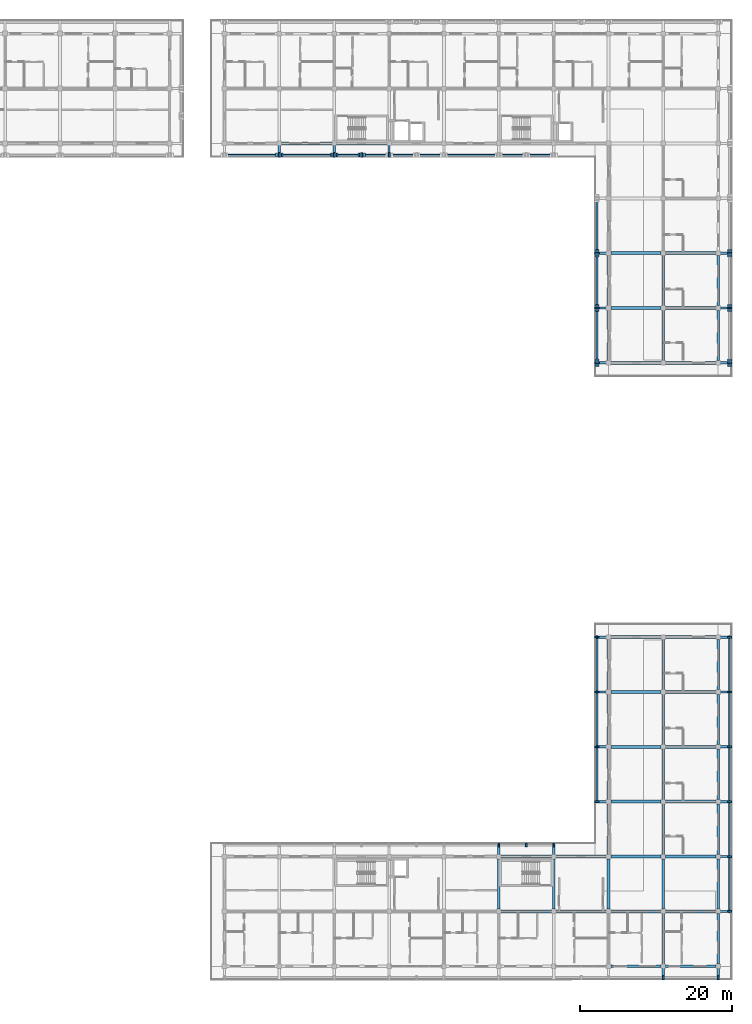
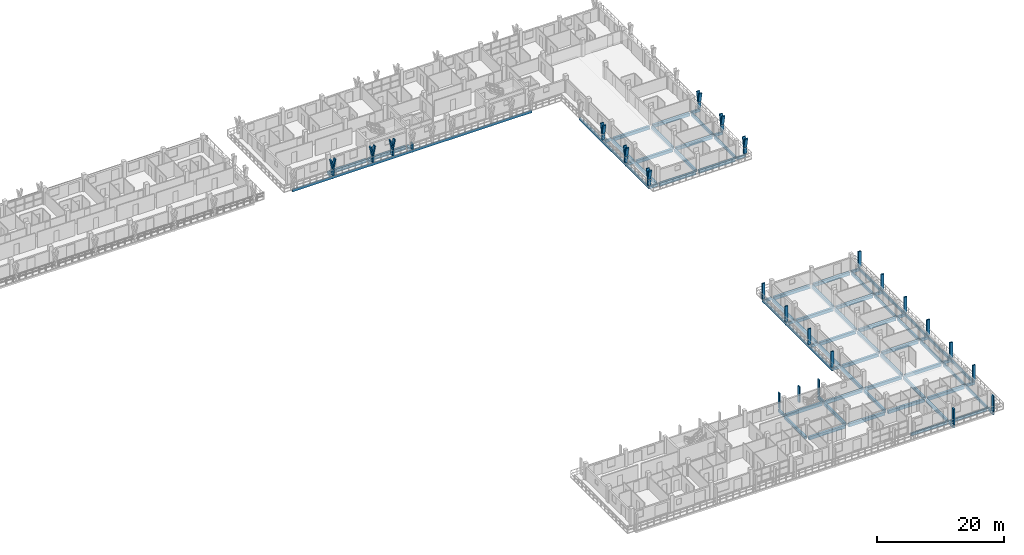
# One storey, part 27 of 76: 78 beams, 43 members.
"""IFC4 building model written with IfcOpenShell, lengths in metres."""

from ifc_helpers import new_model, si_unit, direction, frame, origin, origin_2d, place, context, subcontext, project, spatial, rectangle, extrude, material, material_profile, profile_set, type_object, element, save


model = new_model("IFC4")

# Units and contexts
model_context = context("Model", 3, precision=1e-05, world=origin(), true_north=direction((0.0, 1.0)))
body_context = subcontext(model_context, "Body", "Model", "MODEL_VIEW")
ifc_project = project(units=[si_unit("LENGTHUNIT", "METRE"), si_unit("AREAUNIT", "SQUARE_METRE"), si_unit("VOLUMEUNIT", "CUBIC_METRE"), si_unit("PLANEANGLEUNIT", "RADIAN"), si_unit("MASSUNIT", "GRAM", prefix="KILO")], contexts=[model_context])

# Site, building, storey
site_placement = place(None, origin())
site = spatial("IfcSite", under=ifc_project, at=site_placement, CompositionType="ELEMENT")
building_placement = place(site_placement, origin())
building = spatial("IfcBuilding", under=site, at=building_placement, Name="Suanplinth Sawtooth Commons", CompositionType="ELEMENT")
storey_placement = place(building_placement, frame((0.0, 0.0, 12.199951171875)))
storey = spatial("IfcBuildingStorey", under=building, at=storey_placement, Name="L03", CompositionType="ELEMENT", Elevation=12.199951171875)

# Beams
ifc_material_1 = material(Name="Precast concrete C40/50", Category="concrete")
ifc_material_profile_1 = material_profile(ifc_material_1, rectangle(XDim=0.39990234375, YDim=0.60009765625, at=origin_2d()), Name="PC-GDR 400x600")
ifc_profile_set_1 = profile_set([ifc_material_profile_1], Name="Precast concrete C40/50")
beam_type_1 = type_object("IfcBeamType", Name="B-05", PredefinedType="USERDEFINED", material=ifc_profile_set_1)
beam_1_placement = place(storey_placement, frame((129.89990234375, 108.0, -0.5400390625), z_axis=(1.0, 0.0, 0.0), x_axis=(0.0, 1.0, 0.0)))
element("IfcBeam", 1, at=beam_1_placement, inside=storey, type_object=beam_type_1, Name="BMX-L03-B-18-15", ObjectType="GIRDER", PredefinedType="USERDEFINED", context=body_context, shape_type="SweptSolid", body=[
    extrude(rectangle(XDim=0.39990234375, YDim=0.60009765625, at=origin_2d()), origin(), (0.0, 0.0, 1.0), 6.60009765625),
])
for number, where, z_axis, x_axis, name in (
    (2, (137.10009765625, 108.0, -0.5400390625), (1.0, 0.0, 0.0), (0.0, 1.0, 0.0), "BMX-L03-B-19-15"),
    (3, (173.10009765625, 79.199951171875, -0.5400390625), (1.0, 0.0, 0.0), (0.0, 1.0, 0.0), "BMX-L03-B-24-11"),
    (4, (173.10009765625, 86.39990234375, -0.5400390625), (1.0, 0.0, 0.0), (0.0, 1.0, 0.0), "BMX-L03-B-24-12"),
    (5, (173.10009765625, 93.60009765625, -0.5400390625), (1.0, 0.0, 0.0), (0.0, 1.0, 0.0), "BMX-L03-B-24-13"),
    (6, (180.300048828125, 79.199951171875, -0.5400390625), (1.0, 0.0, 0.0), (0.0, 1.0, 0.0), "BMX-L03-B-25-11"),
    (7, (180.300048828125, 86.39990234375, -0.5400390625), (1.0, 0.0, 0.0), (0.0, 1.0, 0.0), "BMX-L03-B-25-12"),
    (8, (180.300048828125, 93.60009765625, -0.5400390625), (1.0, 0.0, 0.0), (0.0, 1.0, 0.0), "BMX-L03-B-25-13"),
):
    element("IfcBeam", number, at=place(storey_placement, frame(where, z_axis=z_axis, x_axis=x_axis)), inside=storey, type_object=beam_type_1, Name=name, ObjectType="GIRDER", PredefinedType="USERDEFINED", context=body_context, shape_type="SweptSolid", body=[
        extrude(rectangle(XDim=0.39990234375, YDim=0.60009765625, at=origin_2d()), origin(), (0.0, 0.0, 1.0), 6.599853515625),
    ])
for number, where, z_axis, x_axis, name in (
    (9, (158.699951171875, 7.199951171875, -0.5400390625), (1.0, 0.0, 0.0), (0.0, 1.0, 0.0), "BMX-L03-C-22-1"),
    (10, (158.699951171875, 14.39990234375, -0.5400390625), (1.0, 0.0, 0.0), (0.0, 1.0, 0.0), "BMX-L03-C-22-2"),
    (11, (165.89990234375, 7.199951171875, -0.5400390625), (1.0, 0.0, 0.0), (0.0, 1.0, 0.0), "BMX-L03-C-23-1"),
    (12, (165.89990234375, 14.39990234375, -0.5400390625), (1.0, 0.0, 0.0), (0.0, 1.0, 0.0), "BMX-L03-C-23-2"),
):
    element("IfcBeam", number, at=place(storey_placement, frame(where, z_axis=z_axis, x_axis=x_axis)), inside=storey, type_object=beam_type_1, Name=name, ObjectType="GIRDER", PredefinedType="USERDEFINED", context=body_context, shape_type="SweptSolid", body=[
        extrude(rectangle(XDim=0.39990234375, YDim=0.60009765625, at=origin_2d()), origin(), (0.0, 0.0, 1.0), 6.60009765625),
    ])
for number, where, z_axis, x_axis, name in (
    (13, (173.10009765625, 7.199951171875, -0.5400390625), (1.0, 0.0, 0.0), (0.0, 1.0, 0.0), "BMX-L03-C-24-1"),
    (14, (173.10009765625, 14.39990234375, -0.5400390625), (1.0, 0.0, 0.0), (0.0, 1.0, 0.0), "BMX-L03-C-24-2"),
    (15, (173.10009765625, 21.60009765625, -0.5400390625), (1.0, 0.0, 0.0), (0.0, 1.0, 0.0), "BMX-L03-C-24-3"),
    (16, (173.10009765625, 28.800048828125, -0.5400390625), (1.0, 0.0, 0.0), (0.0, 1.0, 0.0), "BMX-L03-C-24-4"),
    (17, (173.10009765625, 36.0, -0.5400390625), (1.0, 0.0, 0.0), (0.0, 1.0, 0.0), "BMX-L03-C-24-5"),
    (18, (173.10009765625, 43.199951171875, -0.5400390625), (1.0, 0.0, 0.0), (0.0, 1.0, 0.0), "BMX-L03-C-24-6"),
    (19, (180.300048828125, 7.199951171875, -0.5400390625), (1.0, 0.0, 0.0), (0.0, 1.0, 0.0), "BMX-L03-C-25-1"),
    (20, (180.300048828125, 14.39990234375, -0.5400390625), (1.0, 0.0, 0.0), (0.0, 1.0, 0.0), "BMX-L03-C-25-2"),
    (21, (180.300048828125, 21.60009765625, -0.5400390625), (1.0, 0.0, 0.0), (0.0, 1.0, 0.0), "BMX-L03-C-25-3"),
    (22, (180.300048828125, 28.800048828125, -0.5400390625), (1.0, 0.0, 0.0), (0.0, 1.0, 0.0), "BMX-L03-C-25-4"),
    (23, (180.300048828125, 36.0, -0.5400390625), (1.0, 0.0, 0.0), (0.0, 1.0, 0.0), "BMX-L03-C-25-5"),
    (24, (180.300048828125, 43.199951171875, -0.5400390625), (1.0, 0.0, 0.0), (0.0, 1.0, 0.0), "BMX-L03-C-25-6"),
):
    element("IfcBeam", number, at=place(storey_placement, frame(where, z_axis=z_axis, x_axis=x_axis)), inside=storey, type_object=beam_type_1, Name=name, ObjectType="GIRDER", PredefinedType="USERDEFINED", context=body_context, shape_type="SweptSolid", body=[
        extrude(rectangle(XDim=0.39990234375, YDim=0.60009765625, at=origin_2d()), origin(), (0.0, 0.0, 1.0), 6.599853515625),
    ])
ifc_material_profile_2 = material_profile(ifc_material_1, rectangle(XDim=0.35009765625, YDim=0.550048828125, at=origin_2d()), Name="PC-BM 350x550")
ifc_profile_set_2 = profile_set([ifc_material_profile_2], Name="Precast concrete C40/50")
beam_type_2 = type_object("IfcBeamType", Name="B-06", PredefinedType="BEAM", material=ifc_profile_set_2)
for number, where, z_axis, x_axis, name in (
    (25, (172.800048828125, 79.5, -0.514892578125), (0.0, 1.0, 0.0), (-1.0, 0.0, 0.0), "BMY-L03-B-24-11"),
    (26, (172.800048828125, 86.699951171875, -0.514892578125), (0.0, 1.0, 0.0), (-1.0, 0.0, 0.0), "BMY-L03-B-24-12"),
    (27, (180.0, 79.5, -0.514892578125), (0.0, 1.0, 0.0), (-1.0, 0.0, 0.0), "BMY-L03-B-25-11"),
    (28, (180.0, 86.699951171875, -0.514892578125), (0.0, 1.0, 0.0), (-1.0, 0.0, 0.0), "BMY-L03-B-25-12"),
    (29, (158.39990234375, 7.5, -0.514892578125), (0.0, 1.0, 0.0), (-1.0, 0.0, 0.0), "BMY-L03-C-22-1"),
    (30, (165.60009765625, 7.5, -0.514892578125), (0.0, 1.0, 0.0), (-1.0, 0.0, 0.0), "BMY-L03-C-23-1"),
    (31, (172.800048828125, 7.5, -0.514892578125), (0.0, 1.0, 0.0), (-1.0, 0.0, 0.0), "BMY-L03-C-24-1"),
    (32, (172.800048828125, 14.699951171875, -0.514892578125), (0.0, 1.0, 0.0), (-1.0, 0.0, 0.0), "BMY-L03-C-24-2"),
    (33, (172.800048828125, 21.89990234375, -0.514892578125), (0.0, 1.0, 0.0), (-1.0, 0.0, 0.0), "BMY-L03-C-24-3"),
):
    element("IfcBeam", number, at=place(storey_placement, frame(where, z_axis=z_axis, x_axis=x_axis)), inside=storey, type_object=beam_type_2, Name=name, PredefinedType="BEAM", context=body_context, shape_type="SweptSolid", body=[
        extrude(rectangle(XDim=0.35009765625, YDim=0.550048828125, at=origin_2d()), origin(), (0.0, 0.0, 1.0), 6.60009765625),
    ])
for number, where, z_axis, x_axis, name in (
    (34, (172.800048828125, 29.10009765625, -0.514892578125), (0.0, 1.0, 0.0), (-1.0, 0.0, 0.0), "BMY-L03-C-24-4"),
    (35, (172.800048828125, 36.300048828125, -0.514892578125), (0.0, 1.0, 0.0), (-1.0, 0.0, 0.0), "BMY-L03-C-24-5"),
    (36, (180.0, 0.300048828125, -0.514892578125), (0.0, 1.0, 0.0), (-1.0, 0.0, 0.0), "BMY-L03-C-25-0"),
):
    element("IfcBeam", number, at=place(storey_placement, frame(where, z_axis=z_axis, x_axis=x_axis)), inside=storey, type_object=beam_type_2, Name=name, PredefinedType="BEAM", context=body_context, shape_type="SweptSolid", body=[
        extrude(rectangle(XDim=0.35009765625, YDim=0.550048828125, at=origin_2d()), origin(), (0.0, 0.0, 1.0), 6.599853515625),
    ])
for number, where, z_axis, x_axis, name in (
    (37, (180.0, 7.5, -0.514892578125), (0.0, 1.0, 0.0), (-1.0, 0.0, 0.0), "BMY-L03-C-25-1"),
    (38, (180.0, 14.699951171875, -0.514892578125), (0.0, 1.0, 0.0), (-1.0, 0.0, 0.0), "BMY-L03-C-25-2"),
    (39, (180.0, 21.89990234375, -0.514892578125), (0.0, 1.0, 0.0), (-1.0, 0.0, 0.0), "BMY-L03-C-25-3"),
):
    element("IfcBeam", number, at=place(storey_placement, frame(where, z_axis=z_axis, x_axis=x_axis)), inside=storey, type_object=beam_type_2, Name=name, PredefinedType="BEAM", context=body_context, shape_type="SweptSolid", body=[
        extrude(rectangle(XDim=0.35009765625, YDim=0.550048828125, at=origin_2d()), origin(), (0.0, 0.0, 1.0), 6.60009765625),
    ])
for number, where, z_axis, x_axis, name in (
    (40, (180.0, 29.10009765625, -0.514892578125), (0.0, 1.0, 0.0), (-1.0, 0.0, 0.0), "BMY-L03-C-25-4"),
    (41, (180.0, 36.300048828125, -0.514892578125), (0.0, 1.0, 0.0), (-1.0, 0.0, 0.0), "BMY-L03-C-25-5"),
):
    element("IfcBeam", number, at=place(storey_placement, frame(where, z_axis=z_axis, x_axis=x_axis)), inside=storey, type_object=beam_type_2, Name=name, PredefinedType="BEAM", context=body_context, shape_type="SweptSolid", body=[
        extrude(rectangle(XDim=0.35009765625, YDim=0.550048828125, at=origin_2d()), origin(), (0.0, 0.0, 1.0), 6.599853515625),
    ])
ifc_material_profile_3 = material_profile(ifc_material_1, rectangle(XDim=0.300048828125, YDim=0.5, at=origin_2d()), Name="PC-BM 300x500")
ifc_profile_set_3 = profile_set([ifc_material_profile_3], Name="Precast concrete C40/50")
beam_type_3 = type_object("IfcBeamType", Name="B-07", PredefinedType="BEAM", material=ifc_profile_set_3)
for number, where, z_axis, x_axis, name in (
    (42, (187.199951171875, 79.199951171875, -0.429931640625), (1.0, 0.0, 0.0), (0.0, 1.0, 0.0), "Balcony Outrigger L03-B-E-11"),
    (43, (187.199951171875, 86.39990234375, -0.429931640625), (1.0, 0.0, 0.0), (0.0, 1.0, 0.0), "Balcony Outrigger L03-B-E-12"),
    (44, (187.199951171875, 93.60009765625, -0.429931640625), (1.0, 0.0, 0.0), (0.0, 1.0, 0.0), "Balcony Outrigger L03-B-E-13"),
):
    element("IfcBeam", number, at=place(storey_placement, frame(where, z_axis=z_axis, x_axis=x_axis)), inside=storey, type_object=beam_type_3, Name=name, PredefinedType="BEAM", context=body_context, shape_type="SweptSolid", body=[
        extrude(rectangle(XDim=0.300048828125, YDim=0.5, at=origin_2d()), origin(), (0.0, 0.0, 1.0), 1.64013671875),
    ])
for number, where, z_axis, x_axis, name in (
    (45, (129.60009765625, 108.0, -0.425048828125), (0.0, -1.0, 0.0), (1.0, 0.0, 0.0), "Balcony Outrigger L03-B-SC-18"),
    (46, (136.800048828125, 108.0, -0.425048828125), (0.0, -1.0, 0.0), (1.0, 0.0, 0.0), "Balcony Outrigger L03-B-SC-19"),
    (47, (144.0, 108.0, -0.425048828125), (0.0, -1.0, 0.0), (1.0, 0.0, 0.0), "Balcony Outrigger L03-B-SC-20"),
):
    element("IfcBeam", number, at=place(storey_placement, frame(where, z_axis=z_axis, x_axis=x_axis)), inside=storey, type_object=beam_type_3, Name=name, PredefinedType="BEAM", context=body_context, shape_type="SweptSolid", body=[
        extrude(rectangle(XDim=0.300048828125, YDim=0.5, at=origin_2d()), origin(), (0.0, 0.0, 1.0), 1.639892578125),
    ])
for number, where, z_axis, x_axis, name in (
    (48, (172.800048828125, 79.199951171875, -0.425048828125), (-1.0, 0.0, 0.0), (0.0, -1.0, 0.0), "Balcony Outrigger L03-B-WC-11"),
    (49, (172.800048828125, 86.39990234375, -0.425048828125), (-1.0, 0.0, 0.0), (0.0, -1.0, 0.0), "Balcony Outrigger L03-B-WC-12"),
    (50, (172.800048828125, 93.60009765625, -0.425048828125), (-1.0, 0.0, 0.0), (0.0, -1.0, 0.0), "Balcony Outrigger L03-B-WC-13"),
):
    element("IfcBeam", number, at=place(storey_placement, frame(where, z_axis=z_axis, x_axis=x_axis)), inside=storey, type_object=beam_type_3, Name=name, PredefinedType="BEAM", context=body_context, shape_type="SweptSolid", body=[
        extrude(rectangle(XDim=0.300048828125, YDim=0.5, at=origin_2d()), origin(), (0.0, 0.0, 1.0), 1.64013671875),
    ])
for number, where, z_axis, x_axis, name in (
    (51, (180.0, 0.0, -0.429931640625), (0.0, -1.0, 0.0), (1.0, 0.0, 0.0), "Balcony Outrigger L03-C-S-25"),
    (52, (187.199951171875, 0.0, -0.429931640625), (0.0, -1.0, 0.0), (1.0, 0.0, 0.0), "Balcony Outrigger L03-C-S-26"),
):
    element("IfcBeam", number, at=place(storey_placement, frame(where, z_axis=z_axis, x_axis=x_axis)), inside=storey, type_object=beam_type_3, Name=name, PredefinedType="BEAM", context=body_context, shape_type="SweptSolid", body=[
        extrude(rectangle(XDim=0.300048828125, YDim=0.5, at=origin_2d()), origin(), (0.0, 0.0, 1.0), 1.639892578125),
    ])
for number, where, z_axis, x_axis, name in (
    (53, (187.199951171875, 7.199951171875, -0.429931640625), (1.0, 0.0, 0.0), (0.0, 1.0, 0.0), "Balcony Outrigger L03-C-E-1"),
    (54, (187.199951171875, 14.39990234375, -0.429931640625), (1.0, 0.0, 0.0), (0.0, 1.0, 0.0), "Balcony Outrigger L03-C-E-2"),
    (55, (187.199951171875, 21.60009765625, -0.429931640625), (1.0, 0.0, 0.0), (0.0, 1.0, 0.0), "Balcony Outrigger L03-C-E-3"),
    (56, (187.199951171875, 28.800048828125, -0.429931640625), (1.0, 0.0, 0.0), (0.0, 1.0, 0.0), "Balcony Outrigger L03-C-E-4"),
    (57, (187.199951171875, 36.0, -0.429931640625), (1.0, 0.0, 0.0), (0.0, 1.0, 0.0), "Balcony Outrigger L03-C-E-5"),
    (58, (187.199951171875, 43.199951171875, -0.429931640625), (1.0, 0.0, 0.0), (0.0, 1.0, 0.0), "Balcony Outrigger L03-C-E-6"),
    (59, (158.39990234375, 14.39990234375, -0.425048828125), (0.0, 1.0, 0.0), (-1.0, 0.0, 0.0), "Balcony Outrigger L03-C-NC-22"),
    (60, (165.60009765625, 14.39990234375, -0.425048828125), (0.0, 1.0, 0.0), (-1.0, 0.0, 0.0), "Balcony Outrigger L03-C-NC-23"),
    (61, (172.800048828125, 21.60009765625, -0.425048828125), (-1.0, 0.0, 0.0), (0.0, -1.0, 0.0), "Balcony Outrigger L03-C-WC-3"),
    (62, (172.800048828125, 28.800048828125, -0.425048828125), (-1.0, 0.0, 0.0), (0.0, -1.0, 0.0), "Balcony Outrigger L03-C-WC-4"),
    (63, (172.800048828125, 36.0, -0.425048828125), (-1.0, 0.0, 0.0), (0.0, -1.0, 0.0), "Balcony Outrigger L03-C-WC-5"),
    (64, (172.800048828125, 43.199951171875, -0.425048828125), (-1.0, 0.0, 0.0), (0.0, -1.0, 0.0), "Balcony Outrigger L03-C-WC-6"),
):
    element("IfcBeam", number, at=place(storey_placement, frame(where, z_axis=z_axis, x_axis=x_axis)), inside=storey, type_object=beam_type_3, Name=name, PredefinedType="BEAM", context=body_context, shape_type="SweptSolid", body=[
        extrude(rectangle(XDim=0.300048828125, YDim=0.5, at=origin_2d()), origin(), (0.0, 0.0, 1.0), 1.64013671875),
    ])
ifc_material_profile_4 = material_profile(ifc_material_1, rectangle(XDim=0.280029296875, YDim=0.52001953125, at=origin_2d()), Name="PC-SP 280x520")
ifc_profile_set_4 = profile_set([ifc_material_profile_4], Name="Precast concrete C40/50")
beam_type_4 = type_object("IfcBeamType", Name="B-08", PredefinedType="SPANDREL", material=ifc_profile_set_4)
for number, where, z_axis, x_axis, name in (
    (65, (187.199951171875, 79.5, -0.5), (0.0, 1.0, 0.0), (-1.0, 0.0, 0.0), "BMY-L03-B-26-11"),
    (66, (187.199951171875, 86.699951171875, -0.5), (0.0, 1.0, 0.0), (-1.0, 0.0, 0.0), "BMY-L03-B-26-12"),
):
    element("IfcBeam", number, at=place(storey_placement, frame(where, z_axis=z_axis, x_axis=x_axis)), inside=storey, type_object=beam_type_4, Name=name, PredefinedType="SPANDREL", context=body_context, shape_type="SweptSolid", body=[
        extrude(rectangle(XDim=0.280029296875, YDim=0.52001953125, at=origin_2d()), origin(), (0.0, 0.0, 1.0), 6.60009765625),
    ])
for number, where, z_axis, x_axis, name in (
    (67, (173.10009765625, 0.0, -0.5), (1.0, 0.0, 0.0), (0.0, 1.0, 0.0), "BMX-L03-C-24-0"),
    (68, (180.300048828125, 0.0, -0.5), (1.0, 0.0, 0.0), (0.0, 1.0, 0.0), "BMX-L03-C-25-0"),
    (69, (187.199951171875, 0.300048828125, -0.5), (0.0, 1.0, 0.0), (-1.0, 0.0, 0.0), "BMY-L03-C-26-0"),
):
    element("IfcBeam", number, at=place(storey_placement, frame(where, z_axis=z_axis, x_axis=x_axis)), inside=storey, type_object=beam_type_4, Name=name, PredefinedType="SPANDREL", context=body_context, shape_type="SweptSolid", body=[
        extrude(rectangle(XDim=0.280029296875, YDim=0.52001953125, at=origin_2d()), origin(), (0.0, 0.0, 1.0), 6.599853515625),
    ])
for number, where, z_axis, x_axis, name in (
    (70, (187.199951171875, 7.5, -0.5), (0.0, 1.0, 0.0), (-1.0, 0.0, 0.0), "BMY-L03-C-26-1"),
    (71, (187.199951171875, 14.699951171875, -0.5), (0.0, 1.0, 0.0), (-1.0, 0.0, 0.0), "BMY-L03-C-26-2"),
    (72, (187.199951171875, 21.89990234375, -0.5), (0.0, 1.0, 0.0), (-1.0, 0.0, 0.0), "BMY-L03-C-26-3"),
):
    element("IfcBeam", number, at=place(storey_placement, frame(where, z_axis=z_axis, x_axis=x_axis)), inside=storey, type_object=beam_type_4, Name=name, PredefinedType="SPANDREL", context=body_context, shape_type="SweptSolid", body=[
        extrude(rectangle(XDim=0.280029296875, YDim=0.52001953125, at=origin_2d()), origin(), (0.0, 0.0, 1.0), 6.60009765625),
    ])
for number, where, z_axis, x_axis, name in (
    (73, (187.199951171875, 29.10009765625, -0.5), (0.0, 1.0, 0.0), (-1.0, 0.0, 0.0), "BMY-L03-C-26-4"),
    (74, (187.199951171875, 36.300048828125, -0.5), (0.0, 1.0, 0.0), (-1.0, 0.0, 0.0), "BMY-L03-C-26-5"),
):
    element("IfcBeam", number, at=place(storey_placement, frame(where, z_axis=z_axis, x_axis=x_axis)), inside=storey, type_object=beam_type_4, Name=name, PredefinedType="SPANDREL", context=body_context, shape_type="SweptSolid", body=[
        extrude(rectangle(XDim=0.280029296875, YDim=0.52001953125, at=origin_2d()), origin(), (0.0, 0.0, 1.0), 6.599853515625),
    ])
ifc_material_profile_5 = material_profile(ifc_material_1, rectangle(XDim=0.25, YDim=0.449951171875, at=origin_2d()), Name="PC-SP 250x450")
ifc_profile_set_5 = profile_set([ifc_material_profile_5], Name="Precast concrete C40/50")
beam_type_5 = type_object("IfcBeamType", Name="B-09", PredefinedType="SPANDREL", material=ifc_profile_set_5)
beam_2_placement = place(storey_placement, frame((122.25, 106.47998046875, -0.39990234375), z_axis=(1.0, 0.0, 0.0), x_axis=(0.0, 1.0, 0.0)))
element("IfcBeam", 75, at=beam_2_placement, inside=storey, type_object=beam_type_5, Name="Balcony Edge Fascia L03-B-SC", PredefinedType="SPANDREL", context=body_context, shape_type="SweptSolid", body=[
    extrude(rectangle(XDim=0.25, YDim=0.449951171875, at=origin_2d()), origin(), (0.0, 0.0, 1.0), 43.5),
])
beam_3_placement = place(storey_placement, frame((171.280029296875, 79.050048828125, -0.39990234375), z_axis=(0.0, 1.0, 0.0), x_axis=(-1.0, 0.0, 0.0)))
element("IfcBeam", 76, at=beam_3_placement, inside=storey, type_object=beam_type_5, Name="Balcony Edge Fascia L03-B-WC", PredefinedType="SPANDREL", context=body_context, shape_type="SweptSolid", body=[
    extrude(rectangle(XDim=0.25, YDim=0.449951171875, at=origin_2d()), origin(), (0.0, 0.0, 1.0), 21.89990234375),
])
beam_4_placement = place(storey_placement, frame((188.719970703125, 7.050048828125, -0.405029296875), z_axis=(0.0, 1.0, 0.0), x_axis=(-1.0, 0.0, 0.0)))
element("IfcBeam", 77, at=beam_4_placement, inside=storey, type_object=beam_type_5, Name="Balcony Edge Fascia L03-C-E", PredefinedType="SPANDREL", context=body_context, shape_type="SweptSolid", body=[
    extrude(rectangle(XDim=0.25, YDim=0.449951171875, at=origin_2d()), origin(), (0.0, 0.0, 1.0), 36.300048828125),
])
beam_5_placement = place(storey_placement, frame((171.280029296875, 21.449951171875, -0.39990234375), z_axis=(0.0, 1.0, 0.0), x_axis=(-1.0, 0.0, 0.0)))
element("IfcBeam", 78, at=beam_5_placement, inside=storey, type_object=beam_type_5, Name="Balcony Edge Fascia L03-C-WC", PredefinedType="SPANDREL", context=body_context, shape_type="SweptSolid", body=[
    extrude(rectangle(XDim=0.25, YDim=0.449951171875, at=origin_2d()), origin(), (0.0, 0.0, 1.0), 21.900146484375),
])

# Members
ifc_material_2 = material(Name="Pigmented precast concrete C40/50", Category="concrete")
ifc_material_profile_6 = material_profile(ifc_material_2, rectangle(XDim=0.260009765625, YDim=0.550048828125, at=origin_2d()), Name="PC-FIN 260x550")
ifc_profile_set_6 = profile_set([ifc_material_profile_6], Name="Pigmented precast concrete C40/50")
member_type_1 = type_object("IfcMemberType", Name="M-09", PredefinedType="USERDEFINED", material=ifc_profile_set_6)
for number, where, z_axis, x_axis, name in (
    (79, (188.719970703125, 79.199951171875, 0.0), (0.0, 0.0, 1.0), (0.0, 1.0, 0.0), "Y-Blade Stem L03-B-E-09"),
    (80, (188.719970703125, 86.39990234375, 0.0), (0.0, 0.0, 1.0), (0.0, 1.0, 0.0), "Y-Blade Stem L03-B-E-10"),
    (81, (188.719970703125, 93.60009765625, 0.0), (0.0, 0.0, 1.0), (0.0, 1.0, 0.0), "Y-Blade Stem L03-B-E-11"),
    (82, (129.60009765625, 106.47998046875, 0.0), (0.0, 0.0, 1.0), (1.0, 0.0, 0.0), "Y-Blade Stem L03-B-SC-16"),
    (83, (136.800048828125, 106.47998046875, 0.0), (0.0, 0.0, 1.0), (1.0, 0.0, 0.0), "Y-Blade Stem L03-B-SC-17"),
    (84, (140.39990234375, 106.47998046875, 0.0), (0.0, 0.0, 1.0), (1.0, 0.0, 0.0), "Y-Blade Stem L03-B-SC-18"),
    (85, (144.0, 106.47998046875, 0.0), (0.0, 0.0, 1.0), (1.0, 0.0, 0.0), "Y-Blade Stem L03-B-SC-19"),
    (86, (171.280029296875, 79.199951171875, 0.0), (0.0, 0.0, 1.0), (0.0, 1.0, 0.0), "Y-Blade Stem L03-B-WC-25"),
    (87, (171.280029296875, 86.39990234375, 0.0), (0.0, 0.0, 1.0), (0.0, 1.0, 0.0), "Y-Blade Stem L03-B-WC-26"),
    (88, (171.280029296875, 93.60009765625, 0.0), (0.0, 0.0, 1.0), (0.0, 1.0, 0.0), "Y-Blade Stem L03-B-WC-27"),
):
    element("IfcMember", number, at=place(storey_placement, frame(where, z_axis=z_axis, x_axis=x_axis)), inside=storey, type_object=member_type_1, Name=name, ObjectType="SHADING FIN", PredefinedType="USERDEFINED", context=body_context, shape_type="SweptSolid", body=[
        extrude(rectangle(XDim=0.260009765625, YDim=0.550048828125, at=origin_2d()), origin(), (0.0, 0.0, 1.0), 1.170166015625),
    ])
ifc_material_profile_7 = material_profile(ifc_material_2, rectangle(XDim=0.219970703125, YDim=0.550048828125, at=origin_2d()), Name="PC-FIN 220x550")
ifc_profile_set_7 = profile_set([ifc_material_profile_7], Name="Pigmented precast concrete C40/50")
member_type_2 = type_object("IfcMemberType", Name="M-10", PredefinedType="USERDEFINED", material=ifc_profile_set_7)
member_1_placement = place(storey_placement, frame((188.719970703125, 79.199951171875, 1.130126953125), z_axis=(0.0, -0.196309979414, 0.980541886909), x_axis=(0.0, 0.980541886909, 0.196309979414)))
element("IfcMember", 89, at=member_1_placement, inside=storey, type_object=member_type_2, Name="Y-Blade Arm L L03-B-E-09", ObjectType="SHADING FIN", PredefinedType="USERDEFINED", context=body_context, shape_type="SweptSolid", body=[
    extrude(rectangle(XDim=0.219970703125, YDim=0.550048828125, at=origin_2d()), origin(), (0.0, 0.0, 1.0), 1.9375),
])
member_2_placement = place(storey_placement, frame((188.719970703125, 79.199951171875, 1.130126953125), z_axis=(0.0, 0.196431120402, 0.980517626021), x_axis=(0.0, -0.980517626021, 0.196431120402)))
element("IfcMember", 90, at=member_2_placement, inside=storey, type_object=member_type_2, Name="Y-Blade Arm R L03-B-E-09", ObjectType="SHADING FIN", PredefinedType="USERDEFINED", context=body_context, shape_type="SweptSolid", body=[
    extrude(rectangle(XDim=0.219970703125, YDim=0.550048828125, at=origin_2d()), origin(), (0.0, 0.0, 1.0), 1.937744140625),
])
member_3_placement = place(storey_placement, frame((188.719970703125, 86.39990234375, 1.130126953125), z_axis=(0.0, -0.196309979414, 0.980541886909), x_axis=(0.0, 0.980541886909, 0.196309979414)))
element("IfcMember", 91, at=member_3_placement, inside=storey, type_object=member_type_2, Name="Y-Blade Arm L L03-B-E-10", ObjectType="SHADING FIN", PredefinedType="USERDEFINED", context=body_context, shape_type="SweptSolid", body=[
    extrude(rectangle(XDim=0.219970703125, YDim=0.550048828125, at=origin_2d()), origin(), (0.0, 0.0, 1.0), 1.9375),
])
for number, where, z_axis, x_axis, name in (
    (92, (188.719970703125, 86.39990234375, 1.130126953125), (0.0, 0.196431120402, 0.980517626021), (0.0, -0.980517626021, 0.196431120402), "Y-Blade Arm R L03-B-E-10"),
    (93, (188.719970703125, 93.60009765625, 1.130126953125), (0.0, -0.196431120402, 0.980517626021), (0.0, 0.980517626021, 0.196431120402), "Y-Blade Arm L L03-B-E-11"),
):
    element("IfcMember", number, at=place(storey_placement, frame(where, z_axis=z_axis, x_axis=x_axis)), inside=storey, type_object=member_type_2, Name=name, ObjectType="SHADING FIN", PredefinedType="USERDEFINED", context=body_context, shape_type="SweptSolid", body=[
        extrude(rectangle(XDim=0.219970703125, YDim=0.550048828125, at=origin_2d()), origin(), (0.0, 0.0, 1.0), 1.937744140625),
    ])
member_4_placement = place(storey_placement, frame((188.719970703125, 93.60009765625, 1.130126953125), z_axis=(0.0, 0.196309979414, 0.980541886909), x_axis=(0.0, -0.980541886909, 0.196309979414)))
element("IfcMember", 94, at=member_4_placement, inside=storey, type_object=member_type_2, Name="Y-Blade Arm R L03-B-E-11", ObjectType="SHADING FIN", PredefinedType="USERDEFINED", context=body_context, shape_type="SweptSolid", body=[
    extrude(rectangle(XDim=0.219970703125, YDim=0.550048828125, at=origin_2d()), origin(), (0.0, 0.0, 1.0), 1.9375),
])
member_5_placement = place(storey_placement, frame((129.60009765625, 106.47998046875, 1.130126953125), z_axis=(-0.196431120402, 0.0, 0.980517626021), x_axis=(0.980517626021, 0.0, 0.196431120402)))
element("IfcMember", 95, at=member_5_placement, inside=storey, type_object=member_type_2, Name="Y-Blade Arm L L03-B-SC-16", ObjectType="SHADING FIN", PredefinedType="USERDEFINED", context=body_context, shape_type="SweptSolid", body=[
    extrude(rectangle(XDim=0.219970703125, YDim=0.550048828125, at=origin_2d()), origin(), (0.0, 0.0, 1.0), 1.937744140625),
])
member_6_placement = place(storey_placement, frame((129.60009765625, 106.47998046875, 1.130126953125), z_axis=(0.196309979414, 0.0, 0.980541886909), x_axis=(-0.980541886909, 0.0, 0.196309979414)))
element("IfcMember", 96, at=member_6_placement, inside=storey, type_object=member_type_2, Name="Y-Blade Arm R L03-B-SC-16", ObjectType="SHADING FIN", PredefinedType="USERDEFINED", context=body_context, shape_type="SweptSolid", body=[
    extrude(rectangle(XDim=0.219970703125, YDim=0.550048828125, at=origin_2d()), origin(), (0.0, 0.0, 1.0), 1.9375),
])
member_7_placement = place(storey_placement, frame((136.800048828125, 106.47998046875, 1.130126953125), z_axis=(-0.196431120402, 0.0, 0.980517626021), x_axis=(0.980517626021, 0.0, 0.196431120402)))
element("IfcMember", 97, at=member_7_placement, inside=storey, type_object=member_type_2, Name="Y-Blade Arm L L03-B-SC-17", ObjectType="SHADING FIN", PredefinedType="USERDEFINED", context=body_context, shape_type="SweptSolid", body=[
    extrude(rectangle(XDim=0.219970703125, YDim=0.550048828125, at=origin_2d()), origin(), (0.0, 0.0, 1.0), 1.937744140625),
])
for number, where, z_axis, x_axis, name in (
    (98, (136.800048828125, 106.47998046875, 1.130126953125), (0.196309979414, 0.0, 0.980541886909), (-0.980541886909, 0.0, 0.196309979414), "Y-Blade Arm R L03-B-SC-17"),
    (99, (140.39990234375, 106.47998046875, 1.130126953125), (-0.196309979414, 0.0, 0.980541886909), (0.980541886909, 0.0, 0.196309979414), "Y-Blade Arm L L03-B-SC-18"),
):
    element("IfcMember", number, at=place(storey_placement, frame(where, z_axis=z_axis, x_axis=x_axis)), inside=storey, type_object=member_type_2, Name=name, ObjectType="SHADING FIN", PredefinedType="USERDEFINED", context=body_context, shape_type="SweptSolid", body=[
        extrude(rectangle(XDim=0.219970703125, YDim=0.550048828125, at=origin_2d()), origin(), (0.0, 0.0, 1.0), 1.9375),
    ])
member_8_placement = place(storey_placement, frame((140.39990234375, 106.47998046875, 1.130126953125), z_axis=(0.196431120402, 0.0, 0.980517626021), x_axis=(-0.980517626021, 0.0, 0.196431120402)))
element("IfcMember", 100, at=member_8_placement, inside=storey, type_object=member_type_2, Name="Y-Blade Arm R L03-B-SC-18", ObjectType="SHADING FIN", PredefinedType="USERDEFINED", context=body_context, shape_type="SweptSolid", body=[
    extrude(rectangle(XDim=0.219970703125, YDim=0.550048828125, at=origin_2d()), origin(), (0.0, 0.0, 1.0), 1.937744140625),
])
member_9_placement = place(storey_placement, frame((171.280029296875, 79.199951171875, 1.130126953125), z_axis=(0.0, -0.196309979414, 0.980541886909), x_axis=(0.0, 0.980541886909, 0.196309979414)))
element("IfcMember", 101, at=member_9_placement, inside=storey, type_object=member_type_2, Name="Y-Blade Arm L L03-B-WC-25", ObjectType="SHADING FIN", PredefinedType="USERDEFINED", context=body_context, shape_type="SweptSolid", body=[
    extrude(rectangle(XDim=0.219970703125, YDim=0.550048828125, at=origin_2d()), origin(), (0.0, 0.0, 1.0), 1.9375),
])
member_10_placement = place(storey_placement, frame((171.280029296875, 79.199951171875, 1.130126953125), z_axis=(0.0, 0.196431120402, 0.980517626021), x_axis=(0.0, -0.980517626021, 0.196431120402)))
element("IfcMember", 102, at=member_10_placement, inside=storey, type_object=member_type_2, Name="Y-Blade Arm R L03-B-WC-25", ObjectType="SHADING FIN", PredefinedType="USERDEFINED", context=body_context, shape_type="SweptSolid", body=[
    extrude(rectangle(XDim=0.219970703125, YDim=0.550048828125, at=origin_2d()), origin(), (0.0, 0.0, 1.0), 1.937744140625),
])
member_11_placement = place(storey_placement, frame((171.280029296875, 86.39990234375, 1.130126953125), z_axis=(0.0, -0.196309979414, 0.980541886909), x_axis=(0.0, 0.980541886909, 0.196309979414)))
element("IfcMember", 103, at=member_11_placement, inside=storey, type_object=member_type_2, Name="Y-Blade Arm L L03-B-WC-26", ObjectType="SHADING FIN", PredefinedType="USERDEFINED", context=body_context, shape_type="SweptSolid", body=[
    extrude(rectangle(XDim=0.219970703125, YDim=0.550048828125, at=origin_2d()), origin(), (0.0, 0.0, 1.0), 1.9375),
])
for number, where, z_axis, x_axis, name in (
    (104, (171.280029296875, 86.39990234375, 1.130126953125), (0.0, 0.196431120402, 0.980517626021), (0.0, -0.980517626021, 0.196431120402), "Y-Blade Arm R L03-B-WC-26"),
    (105, (171.280029296875, 93.60009765625, 1.130126953125), (0.0, -0.196431120402, 0.980517626021), (0.0, 0.980517626021, 0.196431120402), "Y-Blade Arm L L03-B-WC-27"),
):
    element("IfcMember", number, at=place(storey_placement, frame(where, z_axis=z_axis, x_axis=x_axis)), inside=storey, type_object=member_type_2, Name=name, ObjectType="SHADING FIN", PredefinedType="USERDEFINED", context=body_context, shape_type="SweptSolid", body=[
        extrude(rectangle(XDim=0.219970703125, YDim=0.550048828125, at=origin_2d()), origin(), (0.0, 0.0, 1.0), 1.937744140625),
    ])
member_12_placement = place(storey_placement, frame((171.280029296875, 93.60009765625, 1.130126953125), z_axis=(0.0, 0.196309979414, 0.980541886909), x_axis=(0.0, -0.980541886909, 0.196309979414)))
element("IfcMember", 106, at=member_12_placement, inside=storey, type_object=member_type_2, Name="Y-Blade Arm R L03-B-WC-27", ObjectType="SHADING FIN", PredefinedType="USERDEFINED", context=body_context, shape_type="SweptSolid", body=[
    extrude(rectangle(XDim=0.219970703125, YDim=0.550048828125, at=origin_2d()), origin(), (0.0, 0.0, 1.0), 1.9375),
])
ifc_material_profile_8 = material_profile(ifc_material_2, rectangle(XDim=0.25, YDim=0.5400390625, at=origin_2d()), Name="PC-FIN 250x540")
ifc_profile_set_8 = profile_set([ifc_material_profile_8], Name="Pigmented precast concrete C40/50")
member_type_3 = type_object("IfcMemberType", Name="M-11", PredefinedType="USERDEFINED", material=ifc_profile_set_8)
for number, where, z_axis, x_axis, name in (
    (107, (180.0, -1.52001953125, 0.0), (0.0, 0.0, 1.0), (1.0, 0.0, 0.0), "Upright Solar Blade L03-C-S-09"),
    (108, (187.199951171875, -1.52001953125, 0.0), (0.0, 0.0, 1.0), (1.0, 0.0, 0.0), "Upright Solar Blade L03-C-S-10"),
    (109, (188.719970703125, 7.199951171875, 0.0), (0.0, 0.0, 1.0), (0.0, 1.0, 0.0), "Upright Solar Blade L03-C-E-11"),
    (110, (188.719970703125, 14.39990234375, 0.0), (0.0, 0.0, 1.0), (0.0, 1.0, 0.0), "Upright Solar Blade L03-C-E-12"),
    (111, (188.719970703125, 21.60009765625, 0.0), (0.0, 0.0, 1.0), (0.0, 1.0, 0.0), "Upright Solar Blade L03-C-E-13"),
    (112, (188.719970703125, 28.800048828125, 0.0), (0.0, 0.0, 1.0), (0.0, 1.0, 0.0), "Upright Solar Blade L03-C-E-14"),
    (113, (188.719970703125, 36.0, 0.0), (0.0, 0.0, 1.0), (0.0, 1.0, 0.0), "Upright Solar Blade L03-C-E-15"),
    (114, (188.719970703125, 43.199951171875, 0.0), (0.0, 0.0, 1.0), (0.0, 1.0, 0.0), "Upright Solar Blade L03-C-E-16"),
):
    element("IfcMember", number, at=place(storey_placement, frame(where, z_axis=z_axis, x_axis=x_axis)), inside=storey, type_object=member_type_3, Name=name, ObjectType="SHADING FIN", PredefinedType="USERDEFINED", context=body_context, shape_type="SweptSolid", body=[
        extrude(rectangle(XDim=0.25, YDim=0.5400390625, at=origin_2d()), origin(), (0.0, 0.0, 1.0), 3.030029296875),
    ])
ifc_material_profile_9 = material_profile(ifc_material_2, rectangle(XDim=0.2099609375, YDim=0.52001953125, at=origin_2d()), Name="PC-FIN 210x520")
ifc_profile_set_9 = profile_set([ifc_material_profile_9], Name="Pigmented precast concrete C40/50")
member_type_4 = type_object("IfcMemberType", Name="M-12", PredefinedType="USERDEFINED", material=ifc_profile_set_9)
for number, where, z_axis, x_axis, name in (
    (115, (158.39990234375, 15.919921875, 0.0), (0.0, 0.0, 1.0), (1.0, 0.0, 0.0), "Upright Solar Blade L03-C-NC-24"),
    (116, (162.0, 15.919921875, 0.0), (0.0, 0.0, 1.0), (1.0, 0.0, 0.0), "Upright Solar Blade L03-C-NC-25"),
    (117, (165.60009765625, 15.919921875, 0.0), (0.0, 0.0, 1.0), (1.0, 0.0, 0.0), "Upright Solar Blade L03-C-NC-26"),
    (118, (171.280029296875, 21.60009765625, 0.0), (0.0, 0.0, 1.0), (0.0, 1.0, 0.0), "Upright Solar Blade L03-C-WC-27"),
    (119, (171.280029296875, 28.800048828125, 0.0), (0.0, 0.0, 1.0), (0.0, 1.0, 0.0), "Upright Solar Blade L03-C-WC-28"),
    (120, (171.280029296875, 36.0, 0.0), (0.0, 0.0, 1.0), (0.0, 1.0, 0.0), "Upright Solar Blade L03-C-WC-29"),
    (121, (171.280029296875, 43.199951171875, 0.0), (0.0, 0.0, 1.0), (0.0, 1.0, 0.0), "Upright Solar Blade L03-C-WC-30"),
):
    element("IfcMember", number, at=place(storey_placement, frame(where, z_axis=z_axis, x_axis=x_axis)), inside=storey, type_object=member_type_4, Name=name, ObjectType="SHADING FIN", PredefinedType="USERDEFINED", context=body_context, shape_type="SweptSolid", body=[
        extrude(rectangle(XDim=0.2099609375, YDim=0.52001953125, at=origin_2d()), origin(), (0.0, 0.0, 1.0), 3.030029296875),
    ])

save(model, "model.ifc")
